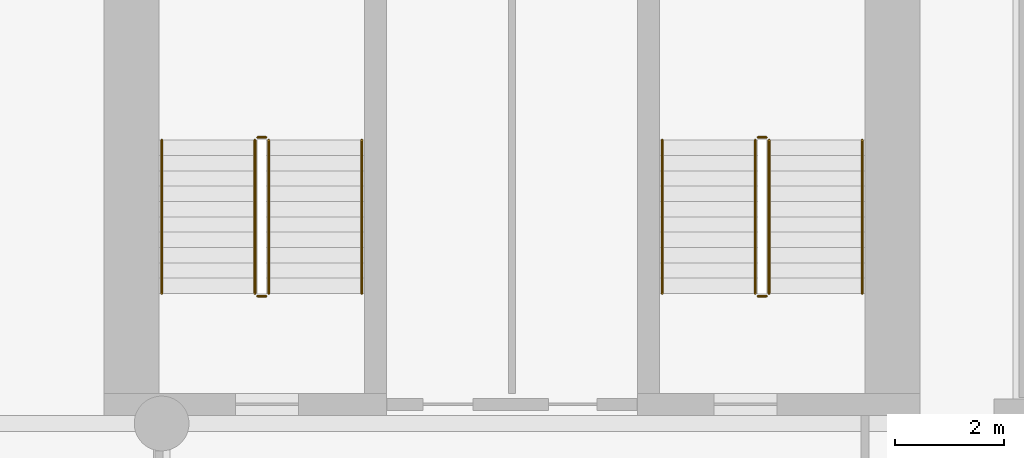
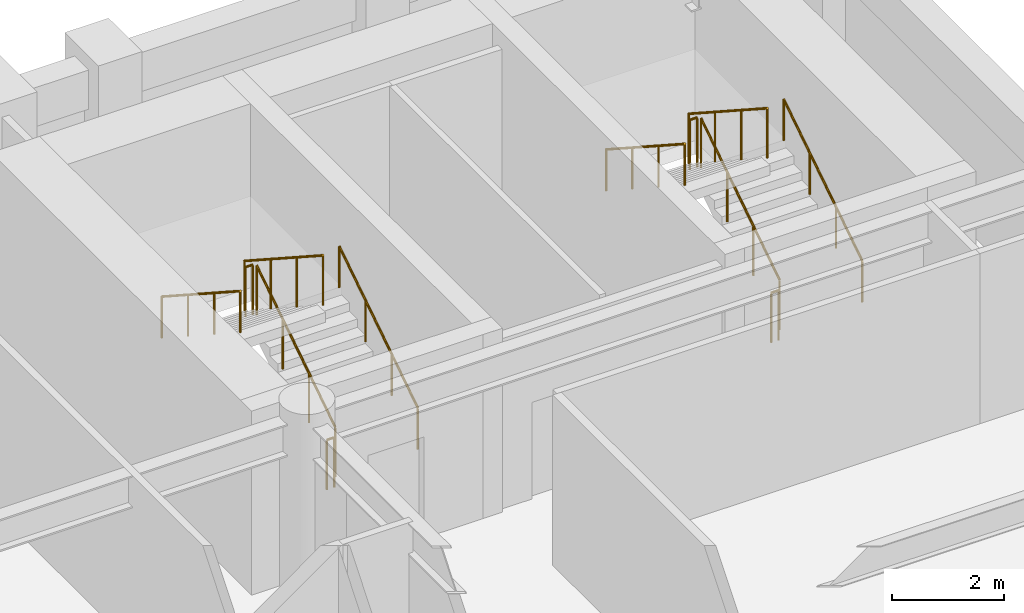
# One storey, part 8 of 8: 12 railings.
"""IFC4 building model written with IfcOpenShell, lengths in metres."""

from ifc_helpers import new_model, si_unit, direction, frame, origin, origin_2d, place, context, subcontext, project, spatial, circle, extrude, material, type_object, element, save


model = new_model("IFC4")

# Units and contexts
model_context = context("Model", 3, precision=1e-05, world=origin(), true_north=direction((0.0, 1.0)))
body_context = subcontext(model_context, "Body", "Model", "MODEL_VIEW")
ifc_project = project(units=[si_unit("LENGTHUNIT", "METRE"), si_unit("AREAUNIT", "SQUARE_METRE"), si_unit("VOLUMEUNIT", "CUBIC_METRE"), si_unit("PLANEANGLEUNIT", "RADIAN"), si_unit("MASSUNIT", "GRAM", prefix="KILO")], contexts=[model_context])

# Site, building, storey
site_placement = place(None, origin())
site = spatial("IfcSite", under=ifc_project, at=site_placement, CompositionType="ELEMENT")
building_placement = place(site_placement, origin())
building = spatial("IfcBuilding", under=site, at=building_placement, Name="Sulina Concourse Tower", CompositionType="ELEMENT")
storey_placement = place(building_placement, frame((0.0, 0.0, 74.60009765625)))
storey = spatial("IfcBuildingStorey", under=building, at=storey_placement, Name="L18", CompositionType="ELEMENT", Elevation=74.60009765625)

# Railings
ifc_material_1 = material(Name="Galvanised steel railing", Category="steel")
railing_type_1 = type_object("IfcRailingType", Name="Core Stair Steel Guardrail 1150mm", PredefinedType="GUARDRAIL", material=ifc_material_1)
railing_1_placement = place(storey_placement, frame((43.554931640625, 36.375, 0.181640625)))
element("IfcRailing", 1, at=railing_1_placement, inside=storey, type_object=railing_type_1, Name="L18 ST-3 stair guard 1", PredefinedType="GUARDRAIL", context=body_context, shape_type="SweptSolid", body=[
    extrude(circle(Radius=0.02392578125, at=origin_2d()), frame((0.0, 0.0, 1.076171875), z_axis=(0.0, 0.838672427954, 0.544636170843), x_axis=(-1.0, 0.0, 0.0)), (0.0, 0.0, 1.0), 3.338623046875),
    extrude(circle(Radius=0.02099609375, at=origin_2d()), origin(), (0.0, 0.0, 1.0), 1.052001953125),
    extrude(circle(Radius=0.02099609375, at=origin_2d()), frame((0.0, 0.933349609375, 0.606201171875)), (0.0, 0.0, 1.0), 1.052001953125),
    extrude(circle(Radius=0.02099609375, at=origin_2d()), frame((0.0, 1.86669921875, 1.212158203125)), (0.0, 0.0, 1.0), 1.052001953125),
    extrude(circle(Radius=0.02099609375, at=origin_2d()), frame((0.0, 2.800048828125, 1.818359375)), (0.0, 0.0, 1.0), 1.052001953125),
])
railing_2_placement = place(storey_placement, frame((43.5048828125, 39.22509765625, 2.0)))
element("IfcRailing", 2, at=railing_2_placement, inside=storey, type_object=railing_type_1, Name="L18 ST-3 stair guard 2", PredefinedType="GUARDRAIL", context=body_context, shape_type="SweptSolid", body=[
    extrude(circle(Radius=0.02392578125, at=origin_2d()), frame((0.0, 0.0, 1.076171875), z_axis=(-1.0, 0.0, 0.0), x_axis=(0.0, -1.0, 0.0)), (0.0, 0.0, 1.0), 0.14990234375),
    extrude(circle(Radius=0.02099609375, at=origin_2d()), origin(), (0.0, 0.0, 1.0), 1.052001953125),
    extrude(circle(Radius=0.02099609375, at=origin_2d()), frame((-0.14990234375, 0.0, 0.0)), (0.0, 0.0, 1.0), 1.052001953125),
])
railing_3_placement = place(storey_placement, frame((43.304931640625, 39.175048828125, 2.181640625)))
element("IfcRailing", 3, at=railing_3_placement, inside=storey, type_object=railing_type_1, Name="L18 ST-3 stair guard 3", PredefinedType="GUARDRAIL", context=body_context, shape_type="SweptSolid", body=[
    extrude(circle(Radius=0.02392578125, at=origin_2d()), frame((0.0, 0.0, 1.076171875), z_axis=(0.0, -0.838672427954, 0.544636170843), x_axis=(1.0, 0.0, 0.0)), (0.0, 0.0, 1.0), 3.338623046875),
    extrude(circle(Radius=0.02099609375, at=origin_2d()), origin(), (0.0, 0.0, 1.0), 1.052001953125),
    extrude(circle(Radius=0.02099609375, at=origin_2d()), frame((0.0, -0.933349609375, 0.606201171875)), (0.0, 0.0, 1.0), 1.052001953125),
    extrude(circle(Radius=0.02099609375, at=origin_2d()), frame((0.0, -1.86669921875, 1.212158203125)), (0.0, 0.0, 1.0), 1.052001953125),
    extrude(circle(Radius=0.02099609375, at=origin_2d()), frame((0.0, -2.800048828125, 1.818359375)), (0.0, 0.0, 1.0), 1.052001953125),
])
railing_4_placement = place(storey_placement, frame((43.5048828125, 36.324951171875, 0.0)))
element("IfcRailing", 4, at=railing_4_placement, inside=storey, type_object=railing_type_1, Name="L18 ST-3 stair guard 4", PredefinedType="GUARDRAIL", context=body_context, shape_type="SweptSolid", body=[
    extrude(circle(Radius=0.02392578125, at=origin_2d()), frame((0.0, 0.0, 1.076171875), z_axis=(-1.0, 0.0, 0.0), x_axis=(0.0, -1.0, 0.0)), (0.0, 0.0, 1.0), 0.14990234375),
    extrude(circle(Radius=0.02099609375, at=origin_2d()), origin(), (0.0, 0.0, 1.0), 1.052001953125),
    extrude(circle(Radius=0.02099609375, at=origin_2d()), frame((-0.14990234375, 0.0, 0.0)), (0.0, 0.0, 1.0), 1.052001953125),
])
railing_5_placement = place(storey_placement, frame((52.695068359375, 36.375, 0.181640625)))
element("IfcRailing", 5, at=railing_5_placement, inside=storey, type_object=railing_type_1, Name="L18 ST-4 stair guard 1", PredefinedType="GUARDRAIL", context=body_context, shape_type="SweptSolid", body=[
    extrude(circle(Radius=0.02392578125, at=origin_2d()), frame((0.0, 0.0, 1.076171875), z_axis=(0.0, 0.838672427954, 0.544636170843), x_axis=(-1.0, 0.0, 0.0)), (0.0, 0.0, 1.0), 3.338623046875),
    extrude(circle(Radius=0.02099609375, at=origin_2d()), origin(), (0.0, 0.0, 1.0), 1.052001953125),
    extrude(circle(Radius=0.02099609375, at=origin_2d()), frame((0.0, 0.933349609375, 0.606201171875)), (0.0, 0.0, 1.0), 1.052001953125),
    extrude(circle(Radius=0.02099609375, at=origin_2d()), frame((0.0, 1.86669921875, 1.212158203125)), (0.0, 0.0, 1.0), 1.052001953125),
    extrude(circle(Radius=0.02099609375, at=origin_2d()), frame((0.0, 2.800048828125, 1.818359375)), (0.0, 0.0, 1.0), 1.052001953125),
])
railing_6_placement = place(storey_placement, frame((52.64501953125, 39.22509765625, 2.0)))
element("IfcRailing", 6, at=railing_6_placement, inside=storey, type_object=railing_type_1, Name="L18 ST-4 stair guard 2", PredefinedType="GUARDRAIL", context=body_context, shape_type="SweptSolid", body=[
    extrude(circle(Radius=0.02392578125, at=origin_2d()), frame((0.0, 0.0, 1.076171875), z_axis=(-1.0, 0.0, 0.0), x_axis=(0.0, -1.0, 0.0)), (0.0, 0.0, 1.0), 0.14990234375),
    extrude(circle(Radius=0.02099609375, at=origin_2d()), origin(), (0.0, 0.0, 1.0), 1.052001953125),
    extrude(circle(Radius=0.02099609375, at=origin_2d()), frame((-0.14990234375, 0.0, 0.0)), (0.0, 0.0, 1.0), 1.052001953125),
])
railing_7_placement = place(storey_placement, frame((52.445068359375, 39.175048828125, 2.181640625)))
element("IfcRailing", 7, at=railing_7_placement, inside=storey, type_object=railing_type_1, Name="L18 ST-4 stair guard 3", PredefinedType="GUARDRAIL", context=body_context, shape_type="SweptSolid", body=[
    extrude(circle(Radius=0.02392578125, at=origin_2d()), frame((0.0, 0.0, 1.076171875), z_axis=(0.0, -0.838672427954, 0.544636170843), x_axis=(1.0, 0.0, 0.0)), (0.0, 0.0, 1.0), 3.338623046875),
    extrude(circle(Radius=0.02099609375, at=origin_2d()), origin(), (0.0, 0.0, 1.0), 1.052001953125),
    extrude(circle(Radius=0.02099609375, at=origin_2d()), frame((0.0, -0.933349609375, 0.606201171875)), (0.0, 0.0, 1.0), 1.052001953125),
    extrude(circle(Radius=0.02099609375, at=origin_2d()), frame((0.0, -1.86669921875, 1.212158203125)), (0.0, 0.0, 1.0), 1.052001953125),
    extrude(circle(Radius=0.02099609375, at=origin_2d()), frame((0.0, -2.800048828125, 1.818359375)), (0.0, 0.0, 1.0), 1.052001953125),
])
railing_8_placement = place(storey_placement, frame((52.64501953125, 36.324951171875, 0.0)))
element("IfcRailing", 8, at=railing_8_placement, inside=storey, type_object=railing_type_1, Name="L18 ST-4 stair guard 4", PredefinedType="GUARDRAIL", context=body_context, shape_type="SweptSolid", body=[
    extrude(circle(Radius=0.02392578125, at=origin_2d()), frame((0.0, 0.0, 1.076171875), z_axis=(-1.0, 0.0, 0.0), x_axis=(0.0, -1.0, 0.0)), (0.0, 0.0, 1.0), 0.14990234375),
    extrude(circle(Radius=0.02099609375, at=origin_2d()), origin(), (0.0, 0.0, 1.0), 1.052001953125),
    extrude(circle(Radius=0.02099609375, at=origin_2d()), frame((-0.14990234375, 0.0, 0.0)), (0.0, 0.0, 1.0), 1.052001953125),
])
ifc_material_2 = material(Name="Galvanised steel railing", Category="steel")
railing_type_2 = type_object("IfcRailingType", Name="Stair Wall Steel Handrail 920mm", PredefinedType="HANDRAIL", material=ifc_material_2)
railing_9_placement = place(storey_placement, frame((45.2548828125, 36.375, 0.181640625)))
element("IfcRailing", 9, at=railing_9_placement, inside=storey, type_object=railing_type_2, Name="L18 ST-3 stair handrail 1", PredefinedType="HANDRAIL", context=body_context, shape_type="SweptSolid", body=[
    extrude(circle(Radius=0.02392578125, at=origin_2d()), frame((0.0, 0.0, 0.89599609375), z_axis=(0.0, 0.838672427954, 0.544636170843), x_axis=(-1.0, 0.0, 0.0)), (0.0, 0.0, 1.0), 3.338623046875),
    extrude(circle(Radius=0.02099609375, at=origin_2d()), origin(), (0.0, 0.0, 1.0), 0.871826171875),
    extrude(circle(Radius=0.02099609375, at=origin_2d()), frame((0.0, 0.933349609375, 0.606201171875)), (0.0, 0.0, 1.0), 0.871826171875),
    extrude(circle(Radius=0.02099609375, at=origin_2d()), frame((0.0, 1.86669921875, 1.212158203125)), (0.0, 0.0, 1.0), 0.871826171875),
    extrude(circle(Radius=0.02099609375, at=origin_2d()), frame((0.0, 2.800048828125, 1.818359375)), (0.0, 0.0, 1.0), 0.871826171875),
])
railing_10_placement = place(storey_placement, frame((41.60498046875, 39.175048828125, 2.181640625)))
element("IfcRailing", 10, at=railing_10_placement, inside=storey, type_object=railing_type_2, Name="L18 ST-3 stair handrail 2", PredefinedType="HANDRAIL", context=body_context, shape_type="SweptSolid", body=[
    extrude(circle(Radius=0.02392578125, at=origin_2d()), frame((0.0, 0.0, 0.89599609375), z_axis=(0.0, -0.838672427954, 0.544636170843), x_axis=(1.0, 0.0, 0.0)), (0.0, 0.0, 1.0), 3.338623046875),
    extrude(circle(Radius=0.02099609375, at=origin_2d()), origin(), (0.0, 0.0, 1.0), 0.871826171875),
    extrude(circle(Radius=0.02099609375, at=origin_2d()), frame((0.0, -0.933349609375, 0.606201171875)), (0.0, 0.0, 1.0), 0.871826171875),
    extrude(circle(Radius=0.02099609375, at=origin_2d()), frame((0.0, -1.86669921875, 1.212158203125)), (0.0, 0.0, 1.0), 0.871826171875),
    extrude(circle(Radius=0.02099609375, at=origin_2d()), frame((0.0, -2.800048828125, 1.818359375)), (0.0, 0.0, 1.0), 0.871826171875),
])
railing_11_placement = place(storey_placement, frame((54.39501953125, 36.375, 0.181640625)))
element("IfcRailing", 11, at=railing_11_placement, inside=storey, type_object=railing_type_2, Name="L18 ST-4 stair handrail 1", PredefinedType="HANDRAIL", context=body_context, shape_type="SweptSolid", body=[
    extrude(circle(Radius=0.02392578125, at=origin_2d()), frame((0.0, 0.0, 0.89599609375), z_axis=(0.0, 0.838672427954, 0.544636170843), x_axis=(-1.0, 0.0, 0.0)), (0.0, 0.0, 1.0), 3.338623046875),
    extrude(circle(Radius=0.02099609375, at=origin_2d()), origin(), (0.0, 0.0, 1.0), 0.871826171875),
    extrude(circle(Radius=0.02099609375, at=origin_2d()), frame((0.0, 0.933349609375, 0.606201171875)), (0.0, 0.0, 1.0), 0.871826171875),
    extrude(circle(Radius=0.02099609375, at=origin_2d()), frame((0.0, 1.86669921875, 1.212158203125)), (0.0, 0.0, 1.0), 0.871826171875),
    extrude(circle(Radius=0.02099609375, at=origin_2d()), frame((0.0, 2.800048828125, 1.818359375)), (0.0, 0.0, 1.0), 0.871826171875),
])
railing_12_placement = place(storey_placement, frame((50.7451171875, 39.175048828125, 2.181640625)))
element("IfcRailing", 12, at=railing_12_placement, inside=storey, type_object=railing_type_2, Name="L18 ST-4 stair handrail 2", PredefinedType="HANDRAIL", context=body_context, shape_type="SweptSolid", body=[
    extrude(circle(Radius=0.02392578125, at=origin_2d()), frame((0.0, 0.0, 0.89599609375), z_axis=(0.0, -0.838672427954, 0.544636170843), x_axis=(1.0, 0.0, 0.0)), (0.0, 0.0, 1.0), 3.338623046875),
    extrude(circle(Radius=0.02099609375, at=origin_2d()), origin(), (0.0, 0.0, 1.0), 0.871826171875),
    extrude(circle(Radius=0.02099609375, at=origin_2d()), frame((0.0, -0.933349609375, 0.606201171875)), (0.0, 0.0, 1.0), 0.871826171875),
    extrude(circle(Radius=0.02099609375, at=origin_2d()), frame((0.0, -1.86669921875, 1.212158203125)), (0.0, 0.0, 1.0), 0.871826171875),
    extrude(circle(Radius=0.02099609375, at=origin_2d()), frame((0.0, -2.800048828125, 1.818359375)), (0.0, 0.0, 1.0), 0.871826171875),
])

save(model, "model.ifc")
